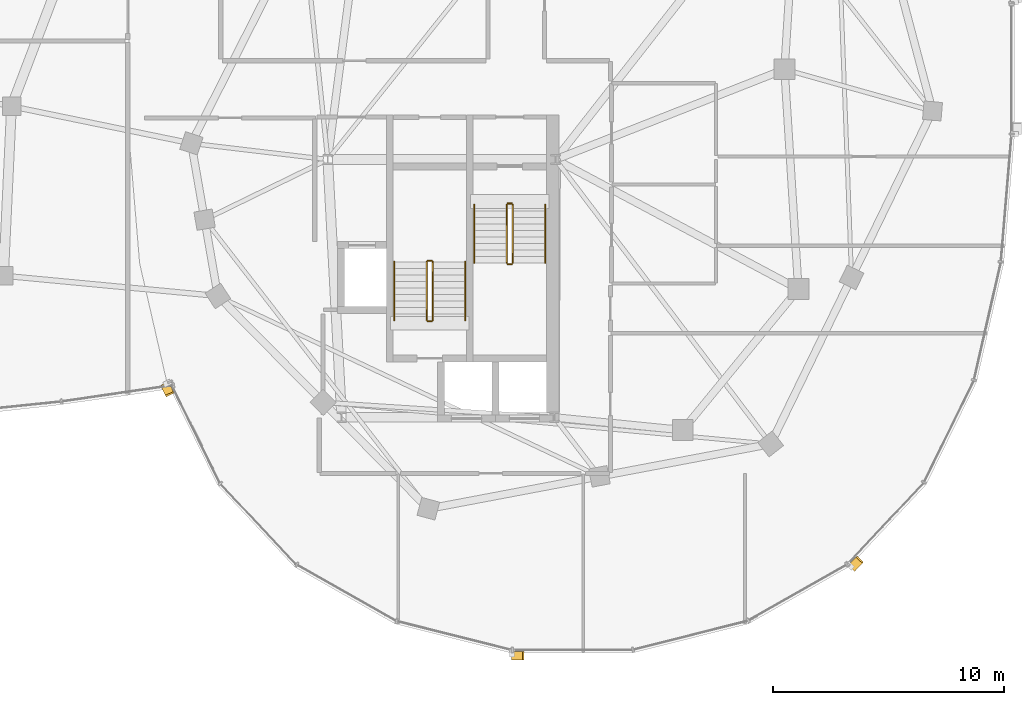
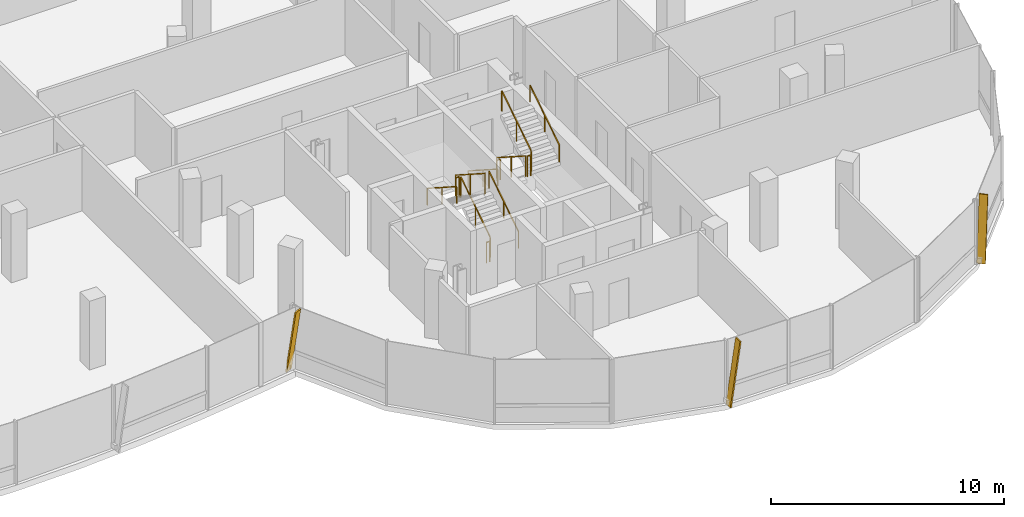
# One storey, part 25 of 26: 12 railings, 3 shading devices.
"""IFC4 building model written with IfcOpenShell, lengths in metres."""

import ifcopenshell
import ifcopenshell.guid

model = None  # the IFC model being written
_history = None  # IfcOwnerHistory: only IFC2X3 demands one
_inside = {}  # id of a spatial element -> (the spatial element, [elements in it])
_under = {}  # id of a project, library or spatial element -> (it, [spatial elements below it])
_declared = {}  # id of a project -> (the project, [libraries it declares])
_typed = {}  # id of a type object -> (the type object, [elements of that type])
_made_of = {}  # id of a material, layer set ... -> (it, [elements and type objects made of it])


def new_model(schema):
    """Start an empty IFC model of exactly this schema.

    Asked for "IFC4X3", IfcOpenShell would pick the latest addendum, in which some entities
    have other attributes; the version numbers below select the first issue.
    IFC2X3 requires an IfcOwnerHistory on every rooted entity: one is made here for all.
    """
    global model, _history
    if schema == "IFC4X3":
        model = ifcopenshell.file(schema_version=(4, 3, 0, 0))
    else:
        model = ifcopenshell.file(schema=schema)
    _inside.clear()
    _under.clear()
    _declared.clear()
    _typed.clear()
    _made_of.clear()
    _history = None
    if model.schema == "IFC2X3":
        org = make("IfcOrganization", Name="unknown")
        user = make(
            "IfcPersonAndOrganization",
            ThePerson=make("IfcPerson", FamilyName="unknown"),
            TheOrganization=org,
        )
        app = make(
            "IfcApplication",
            ApplicationDeveloper=org,
            Version="unknown",
            ApplicationFullName="unknown",
            ApplicationIdentifier="unknown",
        )
        _history = make(
            "IfcOwnerHistory",
            OwningUser=user,
            OwningApplication=app,
            ChangeAction="ADDED",
            CreationDate=0,
        )
    return model


def make(cls, **values):
    """One entity of the class cls with the attributes given. An attribute that is None is left unset."""
    return model.create_entity(
        cls, **{name: value for name, value in values.items() if value is not None}
    )


def rooted(cls, **values):
    """An entity with a GlobalId (a new one), such as an element, a storey or a relation."""
    return make(cls, GlobalId=ifcopenshell.guid.new(), OwnerHistory=_history, **values)


def si_unit(unit_type, name, prefix=None):
    """IfcSIUnit, for example si_unit("LENGTHUNIT", "METRE", prefix="MILLI")."""
    return make("IfcSIUnit", UnitType=unit_type, Prefix=prefix, Name=name)


def assignment(units):
    """IfcUnitAssignment: the units of a project."""
    return None if units is None else make("IfcUnitAssignment", Units=units)


def point(xyz):
    """IfcCartesianPoint."""
    return None if xyz is None else make("IfcCartesianPoint", Coordinates=xyz)


def direction(xyz):
    """IfcDirection."""
    return None if xyz is None else make("IfcDirection", DirectionRatios=xyz)


def frame(location, z_axis=None, x_axis=None):
    """IfcAxis2Placement3D, a coordinate frame: its origin and axes. An axis left out is left unset."""
    return make(
        "IfcAxis2Placement3D",
        Location=point(location),
        Axis=direction(z_axis),
        RefDirection=direction(x_axis),
    )


def frame_2d(location, x_axis=None):
    """IfcAxis2Placement2D, a coordinate frame in the plane: its origin and x axis."""
    return make(
        "IfcAxis2Placement2D", Location=point(location), RefDirection=direction(x_axis)
    )


def origin():
    """The frame at (0, 0, 0) with its axes left unset."""
    return frame((0.0, 0.0, 0.0))


def origin_2d():
    """The frame at (0, 0) in the plane with its x axis left unset."""
    return frame_2d((0.0, 0.0))


def place(relative_to, where):
    """IfcLocalPlacement: puts the frame where relative to a parent placement (None: the world)."""
    return make(
        "IfcLocalPlacement", PlacementRelTo=relative_to, RelativePlacement=where
    )


def context(
    kind, dimensions, precision=None, world=None, true_north=None, identifier=None
):
    """IfcGeometricRepresentationContext, for example the 3D "Model" context."""
    return make(
        "IfcGeometricRepresentationContext",
        ContextIdentifier=identifier,
        ContextType=kind,
        CoordinateSpaceDimension=dimensions,
        Precision=precision,
        WorldCoordinateSystem=world,
        TrueNorth=true_north,
    )


def subcontext(parent, identifier, kind, view, scale=None):
    """IfcGeometricRepresentationSubContext, for example "Body" below "Model"."""
    return make(
        "IfcGeometricRepresentationSubContext",
        ContextIdentifier=identifier,
        ContextType=kind,
        ParentContext=parent,
        TargetScale=scale,
        TargetView=view,
    )


def project(units=None, contexts=None):
    """IfcProject with its units and contexts."""
    return rooted(
        "IfcProject",
        Name="project",
        RepresentationContexts=contexts,
        UnitsInContext=assignment(units),
    )


def spatial(cls, under=None, at=None, **own):
    """A site, building, storey or space (cls), placed at a placement, below another one or the project."""
    s = rooted(cls, ObjectPlacement=at, **own)
    if under is not None:
        _under.setdefault(under.id(), (under, []))[1].append(s)
    return s


def profile(cls, at=None, kind="AREA", **sizes):
    """A parametric profile (cls). Its sizes go by their IFC names, for example OverallWidth=200.0."""
    return make(cls, ProfileType=kind, Position=at, **sizes)


def rectangle(**sizes):
    """IfcRectangleProfileDef."""
    return profile("IfcRectangleProfileDef", **sizes)


def extrude(swept, where, along, depth):
    """IfcExtrudedAreaSolid: the profile swept, set in the frame where, extruded along a direction by depth."""
    return make(
        "IfcExtrudedAreaSolid",
        SweptArea=swept,
        Position=where,
        ExtrudedDirection=direction(along),
        Depth=depth,
    )


def shape(context_of_items, identifier, shape_type, items):
    """IfcShapeRepresentation: the items that make up one representation, for example the "Body"."""
    return make(
        "IfcShapeRepresentation",
        ContextOfItems=context_of_items,
        RepresentationIdentifier=identifier,
        RepresentationType=shape_type,
        Items=items,
    )


def material(Name=None, Category=None):
    """IfcMaterial."""
    return make("IfcMaterial", Name=Name, Category=Category)


def material_profile(
    of_material, cross_section, Name=None, Category=None, Priority=None
):
    """IfcMaterialProfile: a cross section and its material."""
    return make(
        "IfcMaterialProfile",
        Name=Name,
        Material=of_material,
        Profile=cross_section,
        Priority=Priority,
        Category=Category,
    )


def profile_set(profiles, Name=None, composite=None):
    """IfcMaterialProfileSet."""
    return make(
        "IfcMaterialProfileSet",
        Name=Name,
        MaterialProfiles=profiles,
        CompositeProfile=composite,
    )


def made_of(thing, what):
    """Note that an element or type object is made of a material, layer set ...; save() writes the relation."""
    if what is not None:
        _made_of.setdefault(what.id(), (what, []))[1].append(thing)
    return thing


def type_object(cls, material=None, **own):
    """A type object (cls), such as IfcWallType, which elements share."""
    return made_of(rooted(cls, **own), material)


def element(
    cls,
    number,
    at=None,
    inside=None,
    cuts=None,
    type_object=None,
    material=None,
    context=None,
    identifier="Body",
    shape_type=None,
    held_by="IfcProductDefinitionShape",
    body=None,
    shapes=None,
    **own,
):
    """One element of the class cls, such as IfcWall. Its Tag is "e" and its number.

    at: its placement. inside: the storey or other place that contains it. cuts: it is an
    opening in that element (IfcRelVoidsElement). A single representation is given by context,
    identifier, shape_type and body (its items); several are given by shapes. held_by: the class
    of the entity that holds the representations. save() writes the other relations.
    """
    e = rooted(cls, Tag="e%d" % number, ObjectPlacement=at, **own)
    if body is not None:
        shapes = [shape(context, identifier, shape_type, body)]
    if shapes is not None:
        e.Representation = make(held_by, Representations=shapes)
    if inside is not None:
        _inside.setdefault(inside.id(), (inside, []))[1].append(e)
    if cuts is not None:
        rooted(
            "IfcRelVoidsElement", RelatingBuildingElement=cuts, RelatedOpeningElement=e
        )
    if type_object is not None:
        _typed.setdefault(type_object.id(), (type_object, []))[1].append(e)
    return made_of(e, material)


def aggregate(whole, parts):
    """IfcRelAggregates: a whole, such as a stair, and the parts it consists of."""
    return rooted("IfcRelAggregates", RelatingObject=whole, RelatedObjects=parts)


def save(model, path):
    """Write the relations noted so far, then the file.

    IfcRelAggregates (storeys below a building ...), IfcRelContainedInSpatialStructure (elements
    in a storey), IfcRelDefinesByType, IfcRelAssociatesMaterial and IfcRelDeclares: one each for
    every whole, place, type object, material and project.
    """
    for whole, parts in _under.values():
        aggregate(whole, parts)
    for where, things in _inside.values():
        rooted(
            "IfcRelContainedInSpatialStructure",
            RelatedElements=things,
            RelatingStructure=where,
        )
    for kind, things in _typed.values():
        rooted("IfcRelDefinesByType", RelatedObjects=things, RelatingType=kind)
    for what, things in _made_of.values():
        rooted("IfcRelAssociatesMaterial", RelatedObjects=things, RelatingMaterial=what)
    for by, libraries in _declared.values():
        rooted("IfcRelDeclares", RelatingContext=by, RelatedDefinitions=libraries)
    model.write(path)


model = new_model("IFC4")

# Units and contexts
model_context = context("Model", 3, precision=1e-05, world=origin(), true_north=direction((0.0, 1.0)))
body_context = subcontext(model_context, "Body", "Model", "MODEL_VIEW")
ifc_project = project(units=[si_unit("LENGTHUNIT", "METRE"), si_unit("AREAUNIT", "SQUARE_METRE"), si_unit("VOLUMEUNIT", "CUBIC_METRE"), si_unit("PLANEANGLEUNIT", "RADIAN"), si_unit("MASSUNIT", "GRAM", prefix="KILO"), si_unit("THERMODYNAMICTEMPERATUREUNIT", "KELVIN"), si_unit("POWERUNIT", "WATT")], contexts=[model_context])

# Site, building, storey
site_placement = place(None, origin())
site = spatial("IfcSite", under=ifc_project, at=site_placement, CompositionType="ELEMENT")
building_placement = place(site_placement, origin())
building = spatial("IfcBuilding", under=site, at=building_placement, Name="Cundina Bronze Exchange", CompositionType="ELEMENT")
storey_placement = place(building_placement, frame((0.0, 0.0, 261.199951171875)))
storey = spatial("IfcBuildingStorey", under=building, at=storey_placement, Name="L69", CompositionType="ELEMENT", Elevation=261.199951171875)

# Railings
ifc_material_1 = material(Name="Steel ASTM A36 Painted", Category="steel")
railing_type_1 = type_object("IfcRailingType", Name="RLG-HND-900", PredefinedType="HANDRAIL", material=ifc_material_1)
railing_1_placement = place(storey_placement, frame((27.7900390625, -5.85009765625, 0.179931640625)))
element("IfcRailing", 1, at=railing_1_placement, inside=storey, type_object=railing_type_1, Name="L69 ST-E1 stair handrail 1", PredefinedType="HANDRAIL", context=body_context, shape_type="SweptSolid", body=[
    extrude(rectangle(XDim=0.048095703125, YDim=0.048095703125, at=origin_2d()), frame((0.0, 0.0, 0.8759765625), z_axis=(0.0, -0.841162588446, 0.540782303519), x_axis=(1.0, 0.0, 0.0)), (0.0, 0.0, 1.0), 2.995849609375),
    extrude(rectangle(XDim=0.0419921875, YDim=0.0419921875, at=origin_2d()), origin(), (0.0, 0.0, 1.0), 0.851806640625),
    extrude(rectangle(XDim=0.0419921875, YDim=0.0419921875, at=origin_2d()), frame((0.0, -1.260009765625, 0.81005859375)), (0.0, 0.0, 1.0), 0.851806640625),
    extrude(rectangle(XDim=0.0419921875, YDim=0.0419921875, at=origin_2d()), frame((0.0, -2.52001953125, 1.6201171875)), (0.0, 0.0, 1.0), 0.851806640625),
])
for number, where, name in (
    (2, (30.85009765625, -8.3701171875, 1.97998046875), "L69 ST-E1 stair handrail 2"),
    (3, (27.389892578125, -10.85009765625, 0.179931640625), "L69 ST-E2 stair handrail 1"),
):
    element("IfcRailing", number, at=place(storey_placement, frame(where)), inside=storey, type_object=railing_type_1, Name=name, PredefinedType="HANDRAIL", context=body_context, shape_type="SweptSolid", body=[
        extrude(rectangle(XDim=0.048095703125, YDim=0.048095703125, at=origin_2d()), frame((0.0, 0.0, 0.8759765625), z_axis=(0.0, 0.841162588446, 0.540782303519), x_axis=(-1.0, 0.0, 0.0)), (0.0, 0.0, 1.0), 2.995849609375),
        extrude(rectangle(XDim=0.0419921875, YDim=0.0419921875, at=origin_2d()), origin(), (0.0, 0.0, 1.0), 0.851806640625),
        extrude(rectangle(XDim=0.0419921875, YDim=0.0419921875, at=origin_2d()), frame((0.0, 1.260009765625, 0.81005859375)), (0.0, 0.0, 1.0), 0.851806640625),
        extrude(rectangle(XDim=0.0419921875, YDim=0.0419921875, at=origin_2d()), frame((0.0, 2.52001953125, 1.6201171875)), (0.0, 0.0, 1.0), 0.851806640625),
    ])
railing_2_placement = place(storey_placement, frame((24.330078125, -8.330078125, 1.97998046875)))
element("IfcRailing", 4, at=railing_2_placement, inside=storey, type_object=railing_type_1, Name="L69 ST-E2 stair handrail 2", PredefinedType="HANDRAIL", context=body_context, shape_type="SweptSolid", body=[
    extrude(rectangle(XDim=0.048095703125, YDim=0.048095703125, at=origin_2d()), frame((0.0, 0.0, 0.8759765625), z_axis=(0.0, -0.841162588446, 0.540782303519), x_axis=(1.0, 0.0, 0.0)), (0.0, 0.0, 1.0), 2.995849609375),
    extrude(rectangle(XDim=0.0419921875, YDim=0.0419921875, at=origin_2d()), origin(), (0.0, 0.0, 1.0), 0.851806640625),
    extrude(rectangle(XDim=0.0419921875, YDim=0.0419921875, at=origin_2d()), frame((0.0, -1.260009765625, 0.81005859375)), (0.0, 0.0, 1.0), 0.851806640625),
    extrude(rectangle(XDim=0.0419921875, YDim=0.0419921875, at=origin_2d()), frame((0.0, -2.52001953125, 1.6201171875)), (0.0, 0.0, 1.0), 0.851806640625),
])
railing_type_2 = type_object("IfcRailingType", Name="RLG-STG-1100", PredefinedType="GUARDRAIL", material=ifc_material_1)
railing_3_placement = place(storey_placement, frame((29.18994140625, -5.85009765625, 0.179931640625)))
element("IfcRailing", 5, at=railing_3_placement, inside=storey, type_object=railing_type_2, Name="L69 ST-E1 stair guard 1", PredefinedType="GUARDRAIL", context=body_context, shape_type="SweptSolid", body=[
    extrude(rectangle(XDim=0.048095703125, YDim=0.048095703125, at=origin_2d()), frame((0.0, 0.0, 1.076171875), z_axis=(0.0, -0.841162588446, 0.540782303519), x_axis=(1.0, 0.0, 0.0)), (0.0, 0.0, 1.0), 2.995849609375),
    extrude(rectangle(XDim=0.0419921875, YDim=0.0419921875, at=origin_2d()), origin(), (0.0, 0.0, 1.0), 1.052001953125),
    extrude(rectangle(XDim=0.0419921875, YDim=0.0419921875, at=origin_2d()), frame((0.0, -1.260009765625, 0.81005859375)), (0.0, 0.0, 1.0), 1.052001953125),
    extrude(rectangle(XDim=0.0419921875, YDim=0.0419921875, at=origin_2d()), frame((0.0, -2.52001953125, 1.6201171875)), (0.0, 0.0, 1.0), 1.052001953125),
])
railing_4_placement = place(storey_placement, frame((29.239990234375, -8.419921875, 1.800048828125)))
element("IfcRailing", 6, at=railing_4_placement, inside=storey, type_object=railing_type_2, Name="L69 ST-E1 stair guard 2", PredefinedType="GUARDRAIL", context=body_context, shape_type="SweptSolid", body=[
    extrude(rectangle(XDim=0.048095703125, YDim=0.048095703125, at=origin_2d()), frame((0.0, 0.0, 1.076171875), z_axis=(1.0, 0.0, 0.0), x_axis=(0.0, 1.0, 0.0)), (0.0, 0.0, 1.0), 0.159912109375),
    extrude(rectangle(XDim=0.0419921875, YDim=0.0419921875, at=origin_2d()), origin(), (0.0, 0.0, 1.0), 1.052001953125),
    extrude(rectangle(XDim=0.0419921875, YDim=0.0419921875, at=origin_2d()), frame((0.159912109375, 0.0, 0.0)), (0.0, 0.0, 1.0), 1.052001953125),
])
railing_5_placement = place(storey_placement, frame((29.449951171875, -8.3701171875, 1.97998046875)))
element("IfcRailing", 7, at=railing_5_placement, inside=storey, type_object=railing_type_2, Name="L69 ST-E1 stair guard 3", PredefinedType="GUARDRAIL", context=body_context, shape_type="SweptSolid", body=[
    extrude(rectangle(XDim=0.048095703125, YDim=0.048095703125, at=origin_2d()), frame((0.0, 0.0, 1.076171875), z_axis=(0.0, 0.841162588446, 0.540782303519), x_axis=(-1.0, 0.0, 0.0)), (0.0, 0.0, 1.0), 2.995849609375),
    extrude(rectangle(XDim=0.0419921875, YDim=0.0419921875, at=origin_2d()), origin(), (0.0, 0.0, 1.0), 1.052001953125),
    extrude(rectangle(XDim=0.0419921875, YDim=0.0419921875, at=origin_2d()), frame((0.0, 1.260009765625, 0.81005859375)), (0.0, 0.0, 1.0), 1.052001953125),
    extrude(rectangle(XDim=0.0419921875, YDim=0.0419921875, at=origin_2d()), frame((0.0, 2.52001953125, 1.6201171875)), (0.0, 0.0, 1.0), 1.052001953125),
])
railing_6_placement = place(storey_placement, frame((29.239990234375, -5.800048828125, 0.0)))
element("IfcRailing", 8, at=railing_6_placement, inside=storey, type_object=railing_type_2, Name="L69 ST-E1 stair guard 4", PredefinedType="GUARDRAIL", context=body_context, shape_type="SweptSolid", body=[
    extrude(rectangle(XDim=0.048095703125, YDim=0.048095703125, at=origin_2d()), frame((0.0, 0.0, 1.076171875), z_axis=(1.0, 0.0, 0.0), x_axis=(0.0, 1.0, 0.0)), (0.0, 0.0, 1.0), 0.159912109375),
    extrude(rectangle(XDim=0.0419921875, YDim=0.0419921875, at=origin_2d()), origin(), (0.0, 0.0, 1.0), 1.052001953125),
    extrude(rectangle(XDim=0.0419921875, YDim=0.0419921875, at=origin_2d()), frame((0.159912109375, 0.0, 0.0)), (0.0, 0.0, 1.0), 1.052001953125),
])
railing_7_placement = place(storey_placement, frame((25.989990234375, -10.85009765625, 0.179931640625)))
element("IfcRailing", 9, at=railing_7_placement, inside=storey, type_object=railing_type_2, Name="L69 ST-E2 stair guard 1", PredefinedType="GUARDRAIL", context=body_context, shape_type="SweptSolid", body=[
    extrude(rectangle(XDim=0.048095703125, YDim=0.048095703125, at=origin_2d()), frame((0.0, 0.0, 1.076171875), z_axis=(0.0, 0.841162588446, 0.540782303519), x_axis=(-1.0, 0.0, 0.0)), (0.0, 0.0, 1.0), 2.995849609375),
    extrude(rectangle(XDim=0.0419921875, YDim=0.0419921875, at=origin_2d()), origin(), (0.0, 0.0, 1.0), 1.052001953125),
    extrude(rectangle(XDim=0.0419921875, YDim=0.0419921875, at=origin_2d()), frame((0.0, 1.260009765625, 0.81005859375)), (0.0, 0.0, 1.0), 1.052001953125),
    extrude(rectangle(XDim=0.0419921875, YDim=0.0419921875, at=origin_2d()), frame((0.0, 2.52001953125, 1.6201171875)), (0.0, 0.0, 1.0), 1.052001953125),
])
railing_8_placement = place(storey_placement, frame((25.93994140625, -8.280029296875, 1.800048828125)))
element("IfcRailing", 10, at=railing_8_placement, inside=storey, type_object=railing_type_2, Name="L69 ST-E2 stair guard 2", PredefinedType="GUARDRAIL", context=body_context, shape_type="SweptSolid", body=[
    extrude(rectangle(XDim=0.048095703125, YDim=0.048095703125, at=origin_2d()), frame((0.0, 0.0, 1.076171875), z_axis=(-1.0, 0.0, 0.0), x_axis=(0.0, -1.0, 0.0)), (0.0, 0.0, 1.0), 0.159912109375),
    extrude(rectangle(XDim=0.0419921875, YDim=0.0419921875, at=origin_2d()), origin(), (0.0, 0.0, 1.0), 1.052001953125),
    extrude(rectangle(XDim=0.0419921875, YDim=0.0419921875, at=origin_2d()), frame((-0.159912109375, 0.0, 0.0)), (0.0, 0.0, 1.0), 1.052001953125),
])
railing_9_placement = place(storey_placement, frame((25.72998046875, -8.330078125, 1.97998046875)))
element("IfcRailing", 11, at=railing_9_placement, inside=storey, type_object=railing_type_2, Name="L69 ST-E2 stair guard 3", PredefinedType="GUARDRAIL", context=body_context, shape_type="SweptSolid", body=[
    extrude(rectangle(XDim=0.048095703125, YDim=0.048095703125, at=origin_2d()), frame((0.0, 0.0, 1.076171875), z_axis=(0.0, -0.841162588446, 0.540782303519), x_axis=(1.0, 0.0, 0.0)), (0.0, 0.0, 1.0), 2.995849609375),
    extrude(rectangle(XDim=0.0419921875, YDim=0.0419921875, at=origin_2d()), origin(), (0.0, 0.0, 1.0), 1.052001953125),
    extrude(rectangle(XDim=0.0419921875, YDim=0.0419921875, at=origin_2d()), frame((0.0, -1.260009765625, 0.81005859375)), (0.0, 0.0, 1.0), 1.052001953125),
    extrude(rectangle(XDim=0.0419921875, YDim=0.0419921875, at=origin_2d()), frame((0.0, -2.52001953125, 1.6201171875)), (0.0, 0.0, 1.0), 1.052001953125),
])
railing_10_placement = place(storey_placement, frame((25.93994140625, -10.89990234375, 0.0)))
element("IfcRailing", 12, at=railing_10_placement, inside=storey, type_object=railing_type_2, Name="L69 ST-E2 stair guard 4", PredefinedType="GUARDRAIL", context=body_context, shape_type="SweptSolid", body=[
    extrude(rectangle(XDim=0.048095703125, YDim=0.048095703125, at=origin_2d()), frame((0.0, 0.0, 1.076171875), z_axis=(-1.0, 0.0, 0.0), x_axis=(0.0, -1.0, 0.0)), (0.0, 0.0, 1.0), 0.159912109375),
    extrude(rectangle(XDim=0.0419921875, YDim=0.0419921875, at=origin_2d()), origin(), (0.0, 0.0, 1.0), 1.052001953125),
    extrude(rectangle(XDim=0.0419921875, YDim=0.0419921875, at=origin_2d()), frame((-0.159912109375, 0.0, 0.0)), (0.0, 0.0, 1.0), 1.052001953125),
])

# Shading devices
ifc_material_2 = material(Name="Anodised Bronze Aluminium 6063-T6", Category="aluminium")
ifc_material_profile = material_profile(ifc_material_2, rectangle(XDim=0.070068359375, YDim=0.3798828125, at=origin_2d()), Name="FIN70X380", Category="aluminium")
ifc_profile_set = profile_set([ifc_material_profile], Name="Anodised Bronze Aluminium 6063-T6")
shading_device_type = type_object("IfcShadingDeviceType", Name="SHD-FIN-BRZ380", PredefinedType="USERDEFINED", material=ifc_profile_set)
for number, where, z_axis, x_axis, name in (
    (13, (14.406494140625, -13.614013671875, 0.02001953125), (0.063400368732, -0.129216686851, 0.989587510574), (-0.435900311632, 0.888411143223, 0.143932480407), "L69 Diagonal Bronze Solar Fin 1"),
    (14, (29.423583984375, -25.360107421875, 0.02001953125), (0.143932024572, 0.0, 0.989587576874), (-0.989587576874, 0.0, 0.143932024572), "L69 Diagonal Bronze Solar Fin 5"),
    (15, (44.122314453125, -21.55078125, 0.02001953125), (0.098541444371, 0.10491076507, 0.989587446926), (-0.677505727677, -0.721296959704, 0.143932918008), "L69 Diagonal Bronze Solar Fin 1"),
):
    element("IfcShadingDevice", number, at=place(storey_placement, frame(where, z_axis=z_axis, x_axis=x_axis)), inside=storey, type_object=shading_device_type, Name=name, ObjectType="FIN", PredefinedType="USERDEFINED", context=body_context, shape_type="SweptSolid", body=[
        extrude(rectangle(XDim=0.070068359375, YDim=0.3798828125, at=origin_2d()), origin(), (0.0, 0.0, 1.0), 3.334716796875),
    ])

save(model, "model.ifc")
